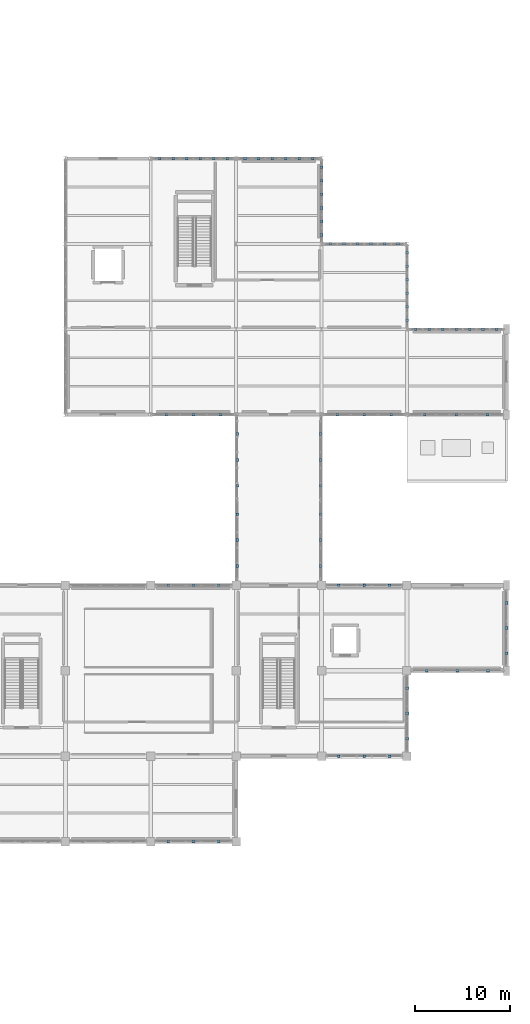
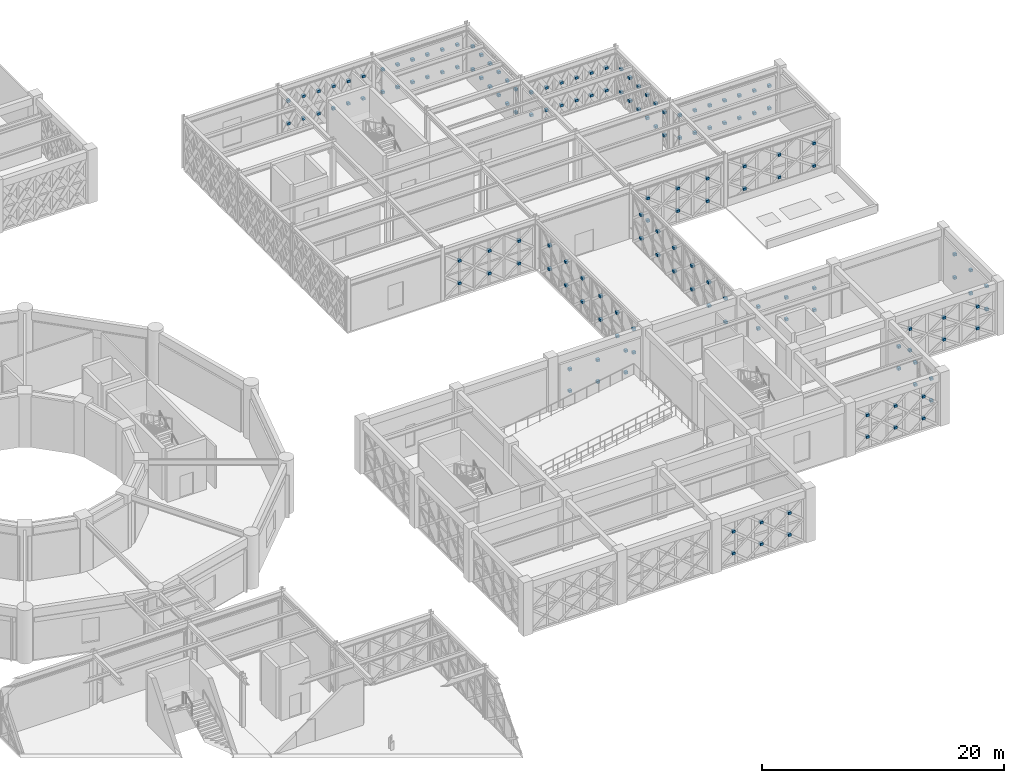
# One storey, part 153 of 166: 158 discrete accessories.
"""IFC4 building model written with IfcOpenShell, lengths in metres."""

from ifc_helpers import new_model, si_unit, direction, frame, origin, origin_2d, place, context, subcontext, project, spatial, rectangle, extrude, material, type_object, element, save


model = new_model("IFC4")

# Units and contexts
model_context = context("Model", 3, precision=1e-05, world=origin(), true_north=direction((0.0, 1.0)))
body_context = subcontext(model_context, "Body", "Model", "MODEL_VIEW")
ifc_project = project(units=[si_unit("LENGTHUNIT", "METRE"), si_unit("AREAUNIT", "SQUARE_METRE"), si_unit("VOLUMEUNIT", "CUBIC_METRE"), si_unit("PLANEANGLEUNIT", "RADIAN"), si_unit("MASSUNIT", "GRAM", prefix="KILO")], contexts=[model_context])

# Site, building, storey
site_placement = place(None, origin())
site = spatial("IfcSite", under=ifc_project, at=site_placement, CompositionType="ELEMENT")
building_placement = place(site_placement, origin())
building = spatial("IfcBuilding", under=site, at=building_placement, Name="Haizhuo Lancet Aquarium", CompositionType="ELEMENT")
storey_placement = place(building_placement, frame((0.0, 0.0, 5.39990234375)))
storey = spatial("IfcBuildingStorey", under=building, at=storey_placement, Name="L01", CompositionType="ELEMENT", Elevation=5.39990234375)

# Discrete accessories
ifc_material = material(Name="Steel S355", Category="steel")
discrete_accessory_type = type_object("IfcDiscreteAccessoryType", Name="ACC-END-CAP", PredefinedType="BRACKET", material=ifc_material)
for number, where, z_axis, x_axis, name in (
    (1, (46.830078125, -9.0, 0.97802734375), (0.0, 0.0, 1.0), (1.0, 0.0, 0.0), "L01 X-brace crossing gusset plate XN-CW-V3-L01-039-LB01B1"),
    (2, (46.830078125, -9.0, 3.171875), (0.0, 0.0, 1.0), (1.0, 0.0, 0.0), "L01 X-brace crossing gusset plate XN-CW-V3-L01-039-LB02B1"),
    (3, (49.5, -9.0, 0.97802734375), (0.0, 0.0, 1.0), (1.0, 0.0, 0.0), "L01 X-brace crossing gusset plate XN-CW-V3-L01-039-LB03B1"),
    (4, (49.5, -9.0, 3.171875), (0.0, 0.0, 1.0), (1.0, 0.0, 0.0), "L01 X-brace crossing gusset plate XN-CW-V3-L01-039-LB04B1"),
    (5, (52.169921875, -9.0, 0.97802734375), (0.0, 0.0, 1.0), (1.0, 0.0, 0.0), "L01 X-brace crossing gusset plate XN-CW-V3-L01-039-LB05B1"),
    (6, (52.169921875, -9.0, 3.171875), (0.0, 0.0, 1.0), (1.0, 0.0, 0.0), "L01 X-brace crossing gusset plate XN-CW-V3-L01-039-LB06B1"),
    (7, (64.830078125, -9.0, 0.97802734375), (0.0, 0.0, 1.0), (1.0, 0.0, 0.0), "L01 X-brace crossing gusset plate XN-CW-V3-L01-040-LB01B1"),
    (8, (64.830078125, -9.0, 3.171875), (0.0, 0.0, 1.0), (1.0, 0.0, 0.0), "L01 X-brace crossing gusset plate XN-CW-V3-L01-040-LB02B1"),
    (9, (67.5, -9.0, 0.97802734375), (0.0, 0.0, 1.0), (1.0, 0.0, 0.0), "L01 X-brace crossing gusset plate XN-CW-V3-L01-040-LB03B1"),
    (10, (67.5, -9.0, 3.171875), (0.0, 0.0, 1.0), (1.0, 0.0, 0.0), "L01 X-brace crossing gusset plate XN-CW-V3-L01-040-LB04B1"),
    (11, (70.169921875, -9.0, 0.97802734375), (0.0, 0.0, 1.0), (1.0, 0.0, 0.0), "L01 X-brace crossing gusset plate XN-CW-V3-L01-040-LB05B1"),
    (12, (70.169921875, -9.0, 3.171875), (0.0, 0.0, 1.0), (1.0, 0.0, 0.0), "L01 X-brace crossing gusset plate XN-CW-V3-L01-040-LB06B1"),
    (13, (82.5, -10.864013671875, 1.05517578125), (0.0, 0.0, 1.0), (1.0, 0.0, 0.0), "L01 X-brace crossing gusset plate XN-CW-V3-L01-041-LB01B1"),
    (14, (82.5, -10.864013671875, 3.4052734375), (0.0, 0.0, 1.0), (1.0, 0.0, 0.0), "L01 X-brace crossing gusset plate XN-CW-V3-L01-041-LB02B1"),
    (15, (82.5, -13.5, 1.05517578125), (0.0, 0.0, 1.0), (1.0, 0.0, 0.0), "L01 X-brace crossing gusset plate XN-CW-V3-L01-041-LB03B1"),
    (16, (82.5, -13.5, 3.4052734375), (0.0, 0.0, 1.0), (1.0, 0.0, 0.0), "L01 X-brace crossing gusset plate XN-CW-V3-L01-041-LB04B1"),
    (17, (82.5, -16.135986328125, 1.05517578125), (0.0, 0.0, 1.0), (1.0, 0.0, 0.0), "L01 X-brace crossing gusset plate XN-CW-V3-L01-041-LB05B1"),
    (18, (82.5, -16.135986328125, 3.4052734375), (0.0, 0.0, 1.0), (1.0, 0.0, 0.0), "L01 X-brace crossing gusset plate XN-CW-V3-L01-041-LB06B1"),
    (19, (80.544921875, -18.0, 0.97802734375), (0.0, 0.0, 1.0), (1.0, 0.0, 0.0), "L01 X-brace crossing gusset plate XN-CW-V3-L01-042-LB01B1"),
    (20, (80.544921875, -18.0, 3.171875), (0.0, 0.0, 1.0), (1.0, 0.0, 0.0), "L01 X-brace crossing gusset plate XN-CW-V3-L01-042-LB02B1"),
    (21, (77.324951171875, -18.0, 0.97802734375), (0.0, 0.0, 1.0), (1.0, 0.0, 0.0), "L01 X-brace crossing gusset plate XN-CW-V3-L01-042-LB03B1"),
    (22, (77.324951171875, -18.0, 3.171875), (0.0, 0.0, 1.0), (1.0, 0.0, 0.0), "L01 X-brace crossing gusset plate XN-CW-V3-L01-042-LB04B1"),
    (23, (74.10498046875, -18.0, 0.97802734375), (0.0, 0.0, 1.0), (1.0, 0.0, 0.0), "L01 X-brace crossing gusset plate XN-CW-V3-L01-042-LB05B1"),
    (24, (74.10498046875, -18.0, 3.171875), (0.0, 0.0, 1.0), (1.0, 0.0, 0.0), "L01 X-brace crossing gusset plate XN-CW-V3-L01-042-LB06B1"),
    (25, (72.0, -19.830078125, 0.990234375), (0.0, 0.0, 1.0), (1.0, 0.0, 0.0), "L01 X-brace crossing gusset plate XN-CW-V3-L01-043-LB01B1"),
    (26, (72.0, -19.830078125, 3.2099609375), (0.0, 0.0, 1.0), (1.0, 0.0, 0.0), "L01 X-brace crossing gusset plate XN-CW-V3-L01-043-LB02B1"),
    (27, (72.0, -22.5, 0.990234375), (0.0, 0.0, 1.0), (1.0, 0.0, 0.0), "L01 X-brace crossing gusset plate XN-CW-V3-L01-043-LB03B1"),
    (28, (72.0, -22.5, 3.2099609375), (0.0, 0.0, 1.0), (1.0, 0.0, 0.0), "L01 X-brace crossing gusset plate XN-CW-V3-L01-043-LB04B1"),
    (29, (72.0, -25.169921875, 0.990234375), (0.0, 0.0, 1.0), (1.0, 0.0, 0.0), "L01 X-brace crossing gusset plate XN-CW-V3-L01-043-LB05B1"),
    (30, (72.0, -25.169921875, 3.2099609375), (0.0, 0.0, 1.0), (1.0, 0.0, 0.0), "L01 X-brace crossing gusset plate XN-CW-V3-L01-043-LB06B1"),
    (31, (70.169921875, -27.0, 0.97802734375), (0.0, 0.0, 1.0), (1.0, 0.0, 0.0), "L01 X-brace crossing gusset plate XN-CW-V3-L01-044-LB01B1"),
    (32, (70.169921875, -27.0, 3.171875), (0.0, 0.0, 1.0), (1.0, 0.0, 0.0), "L01 X-brace crossing gusset plate XN-CW-V3-L01-044-LB02B1"),
    (33, (67.5, -27.0, 0.97802734375), (0.0, 0.0, 1.0), (1.0, 0.0, 0.0), "L01 X-brace crossing gusset plate XN-CW-V3-L01-044-LB03B1"),
    (34, (67.5, -27.0, 3.171875), (0.0, 0.0, 1.0), (1.0, 0.0, 0.0), "L01 X-brace crossing gusset plate XN-CW-V3-L01-044-LB04B1"),
    (35, (64.830078125, -27.0, 0.97802734375), (0.0, 0.0, 1.0), (1.0, 0.0, 0.0), "L01 X-brace crossing gusset plate XN-CW-V3-L01-044-LB05B1"),
    (36, (64.830078125, -27.0, 3.171875), (0.0, 0.0, 1.0), (1.0, 0.0, 0.0), "L01 X-brace crossing gusset plate XN-CW-V3-L01-044-LB06B1"),
    (37, (52.169921875, -36.0, 0.97802734375), (0.0, 0.0, 1.0), (1.0, 0.0, 0.0), "L01 X-brace crossing gusset plate XN-CW-V3-L01-045-LB01B1"),
    (38, (52.169921875, -36.0, 3.171875), (0.0, 0.0, 1.0), (1.0, 0.0, 0.0), "L01 X-brace crossing gusset plate XN-CW-V3-L01-045-LB02B1"),
    (39, (49.5, -36.0, 0.97802734375), (0.0, 0.0, 1.0), (1.0, 0.0, 0.0), "L01 X-brace crossing gusset plate XN-CW-V3-L01-045-LB03B1"),
    (40, (49.5, -36.0, 3.171875), (0.0, 0.0, 1.0), (1.0, 0.0, 0.0), "L01 X-brace crossing gusset plate XN-CW-V3-L01-045-LB04B1"),
    (41, (46.830078125, -36.0, 0.97802734375), (0.0, 0.0, 1.0), (1.0, 0.0, 0.0), "L01 X-brace crossing gusset plate XN-CW-V3-L01-045-LB05B1"),
    (42, (46.830078125, -36.0, 3.171875), (0.0, 0.0, 1.0), (1.0, 0.0, 0.0), "L01 X-brace crossing gusset plate XN-CW-V3-L01-045-LB06B1"),
    (43, (45.93310546875, 36.0, 1.01806640625), (0.0, 0.0, 1.0), (1.0, 0.0, 0.0), "L01 X-brace crossing gusset plate XN-CW-V7-L01-284-LB01B1"),
    (44, (45.93310546875, 36.0, 3.2939453125), (0.0, 0.0, 1.0), (1.0, 0.0, 0.0), "L01 X-brace crossing gusset plate XN-CW-V7-L01-284-LB02B1"),
    (45, (47.360107421875, 36.0, 1.01806640625), (0.0, 0.0, 1.0), (1.0, 0.0, 0.0), "L01 X-brace crossing gusset plate XN-CW-V7-L01-284-LB03B1"),
    (46, (47.360107421875, 36.0, 3.2939453125), (0.0, 0.0, 1.0), (1.0, 0.0, 0.0), "L01 X-brace crossing gusset plate XN-CW-V7-L01-284-LB04B1"),
    (47, (48.787109375, 36.0, 1.01806640625), (0.0, 0.0, 1.0), (1.0, 0.0, 0.0), "L01 X-brace crossing gusset plate XN-CW-V7-L01-284-LB05B1"),
    (48, (48.787109375, 36.0, 3.2939453125), (0.0, 0.0, 1.0), (1.0, 0.0, 0.0), "L01 X-brace crossing gusset plate XN-CW-V7-L01-284-LB06B1"),
    (49, (50.212890625, 36.0, 1.01806640625), (0.0, 0.0, 1.0), (1.0, 0.0, 0.0), "L01 X-brace crossing gusset plate XN-CW-V7-L01-284-LB07B1"),
    (50, (50.212890625, 36.0, 3.2939453125), (0.0, 0.0, 1.0), (1.0, 0.0, 0.0), "L01 X-brace crossing gusset plate XN-CW-V7-L01-284-LB08B1"),
    (51, (51.639892578125, 36.0, 1.01806640625), (0.0, 0.0, 1.0), (1.0, 0.0, 0.0), "L01 X-brace crossing gusset plate XN-CW-V7-L01-284-LB09B1"),
    (52, (51.639892578125, 36.0, 3.2939453125), (0.0, 0.0, 1.0), (1.0, 0.0, 0.0), "L01 X-brace crossing gusset plate XN-CW-V7-L01-284-LB10B1"),
    (53, (53.06689453125, 36.0, 1.01806640625), (0.0, 0.0, 1.0), (1.0, 0.0, 0.0), "L01 X-brace crossing gusset plate XN-CW-V7-L01-284-LB11B1"),
    (54, (53.06689453125, 36.0, 3.2939453125), (0.0, 0.0, 1.0), (1.0, 0.0, 0.0), "L01 X-brace crossing gusset plate XN-CW-V7-L01-284-LB12B1"),
    (55, (54.93310546875, 36.0, 1.01806640625), (0.0, 0.0, 1.0), (1.0, 0.0, 0.0), "L01 X-brace crossing gusset plate XN-CW-V7-L01-285-LB01B1"),
    (56, (54.93310546875, 36.0, 3.2939453125), (0.0, 0.0, 1.0), (1.0, 0.0, 0.0), "L01 X-brace crossing gusset plate XN-CW-V7-L01-285-LB02B1"),
    (57, (56.360107421875, 36.0, 1.01806640625), (0.0, 0.0, 1.0), (1.0, 0.0, 0.0), "L01 X-brace crossing gusset plate XN-CW-V7-L01-285-LB03B1"),
    (58, (56.360107421875, 36.0, 3.2939453125), (0.0, 0.0, 1.0), (1.0, 0.0, 0.0), "L01 X-brace crossing gusset plate XN-CW-V7-L01-285-LB04B1"),
    (59, (57.787109375, 36.0, 1.01806640625), (0.0, 0.0, 1.0), (1.0, 0.0, 0.0), "L01 X-brace crossing gusset plate XN-CW-V7-L01-285-LB05B1"),
    (60, (57.787109375, 36.0, 3.2939453125), (0.0, 0.0, 1.0), (1.0, 0.0, 0.0), "L01 X-brace crossing gusset plate XN-CW-V7-L01-285-LB06B1"),
    (61, (59.212890625, 36.0, 1.01806640625), (0.0, 0.0, 1.0), (1.0, 0.0, 0.0), "L01 X-brace crossing gusset plate XN-CW-V7-L01-285-LB07B1"),
    (62, (59.212890625, 36.0, 3.2939453125), (0.0, 0.0, 1.0), (1.0, 0.0, 0.0), "L01 X-brace crossing gusset plate XN-CW-V7-L01-285-LB08B1"),
    (63, (60.639892578125, 36.0, 1.01806640625), (0.0, 0.0, 1.0), (1.0, 0.0, 0.0), "L01 X-brace crossing gusset plate XN-CW-V7-L01-285-LB09B1"),
    (64, (60.639892578125, 36.0, 3.2939453125), (0.0, 0.0, 1.0), (1.0, 0.0, 0.0), "L01 X-brace crossing gusset plate XN-CW-V7-L01-285-LB10B1"),
    (65, (62.06689453125, 36.0, 1.01806640625), (0.0, 0.0, 1.0), (1.0, 0.0, 0.0), "L01 X-brace crossing gusset plate XN-CW-V7-L01-285-LB11B1"),
    (66, (62.06689453125, 36.0, 3.2939453125), (0.0, 0.0, 1.0), (1.0, 0.0, 0.0), "L01 X-brace crossing gusset plate XN-CW-V7-L01-285-LB12B1"),
    (67, (63.0, 35.06689453125, 1.04296875), (0.0, 0.0, 1.0), (1.0, 0.0, 0.0), "L01 X-brace crossing gusset plate XN-CW-V7-L01-286-LB01B1"),
    (68, (63.0, 35.06689453125, 3.369140625), (0.0, 0.0, 1.0), (1.0, 0.0, 0.0), "L01 X-brace crossing gusset plate XN-CW-V7-L01-286-LB02B1"),
    (69, (63.0, 33.639892578125, 1.04296875), (0.0, 0.0, 1.0), (1.0, 0.0, 0.0), "L01 X-brace crossing gusset plate XN-CW-V7-L01-286-LB03B1"),
    (70, (63.0, 33.639892578125, 3.369140625), (0.0, 0.0, 1.0), (1.0, 0.0, 0.0), "L01 X-brace crossing gusset plate XN-CW-V7-L01-286-LB04B1"),
    (71, (63.0, 32.212890625, 1.04296875), (0.0, 0.0, 1.0), (1.0, 0.0, 0.0), "L01 X-brace crossing gusset plate XN-CW-V7-L01-286-LB05B1"),
    (72, (63.0, 32.212890625, 3.369140625), (0.0, 0.0, 1.0), (1.0, 0.0, 0.0), "L01 X-brace crossing gusset plate XN-CW-V7-L01-286-LB06B1"),
    (73, (63.0, 30.787109375, 1.04296875), (0.0, 0.0, 1.0), (1.0, 0.0, 0.0), "L01 X-brace crossing gusset plate XN-CW-V7-L01-286-LB07B1"),
    (74, (63.0, 30.787109375, 3.369140625), (0.0, 0.0, 1.0), (1.0, 0.0, 0.0), "L01 X-brace crossing gusset plate XN-CW-V7-L01-286-LB08B1"),
    (75, (63.0, 29.360107421875, 1.04296875), (0.0, 0.0, 1.0), (1.0, 0.0, 0.0), "L01 X-brace crossing gusset plate XN-CW-V7-L01-286-LB09B1"),
    (76, (63.0, 29.360107421875, 3.369140625), (0.0, 0.0, 1.0), (1.0, 0.0, 0.0), "L01 X-brace crossing gusset plate XN-CW-V7-L01-286-LB10B1"),
    (77, (63.0, 27.93310546875, 1.04296875), (0.0, 0.0, 1.0), (1.0, 0.0, 0.0), "L01 X-brace crossing gusset plate XN-CW-V7-L01-286-LB11B1"),
    (78, (63.0, 27.93310546875, 3.369140625), (0.0, 0.0, 1.0), (1.0, 0.0, 0.0), "L01 X-brace crossing gusset plate XN-CW-V7-L01-286-LB12B1"),
    (79, (63.93408203125, 27.0, 1.01806640625), (0.0, 0.0, 1.0), (1.0, 0.0, 0.0), "L01 X-brace crossing gusset plate XN-CW-V7-L01-287-LB01B1"),
    (80, (63.93408203125, 27.0, 3.2939453125), (0.0, 0.0, 1.0), (1.0, 0.0, 0.0), "L01 X-brace crossing gusset plate XN-CW-V7-L01-287-LB02B1"),
    (81, (65.360107421875, 27.0, 1.01806640625), (0.0, 0.0, 1.0), (1.0, 0.0, 0.0), "L01 X-brace crossing gusset plate XN-CW-V7-L01-287-LB03B1"),
    (82, (65.360107421875, 27.0, 3.2939453125), (0.0, 0.0, 1.0), (1.0, 0.0, 0.0), "L01 X-brace crossing gusset plate XN-CW-V7-L01-287-LB04B1"),
    (83, (66.785888671875, 27.0, 1.01806640625), (0.0, 0.0, 1.0), (1.0, 0.0, 0.0), "L01 X-brace crossing gusset plate XN-CW-V7-L01-287-LB05B1"),
    (84, (66.785888671875, 27.0, 3.2939453125), (0.0, 0.0, 1.0), (1.0, 0.0, 0.0), "L01 X-brace crossing gusset plate XN-CW-V7-L01-287-LB06B1"),
    (85, (68.214111328125, 27.0, 1.01806640625), (0.0, 0.0, 1.0), (1.0, 0.0, 0.0), "L01 X-brace crossing gusset plate XN-CW-V7-L01-287-LB07B1"),
    (86, (68.214111328125, 27.0, 3.2939453125), (0.0, 0.0, 1.0), (1.0, 0.0, 0.0), "L01 X-brace crossing gusset plate XN-CW-V7-L01-287-LB08B1"),
    (87, (69.639892578125, 27.0, 1.01806640625), (0.0, 0.0, 1.0), (1.0, 0.0, 0.0), "L01 X-brace crossing gusset plate XN-CW-V7-L01-287-LB09B1"),
    (88, (69.639892578125, 27.0, 3.2939453125), (0.0, 0.0, 1.0), (1.0, 0.0, 0.0), "L01 X-brace crossing gusset plate XN-CW-V7-L01-287-LB10B1"),
    (89, (71.06591796875, 27.0, 1.01806640625), (0.0, 0.0, 1.0), (1.0, 0.0, 0.0), "L01 X-brace crossing gusset plate XN-CW-V7-L01-287-LB11B1"),
    (90, (71.06591796875, 27.0, 3.2939453125), (0.0, 0.0, 1.0), (1.0, 0.0, 0.0), "L01 X-brace crossing gusset plate XN-CW-V7-L01-287-LB12B1"),
    (91, (72.0, 26.06689453125, 1.04296875), (0.0, 0.0, 1.0), (1.0, 0.0, 0.0), "L01 X-brace crossing gusset plate XN-CW-V7-L01-288-LB01B1"),
    (92, (72.0, 26.06689453125, 3.369140625), (0.0, 0.0, 1.0), (1.0, 0.0, 0.0), "L01 X-brace crossing gusset plate XN-CW-V7-L01-288-LB02B1"),
    (93, (72.0, 24.639892578125, 1.04296875), (0.0, 0.0, 1.0), (1.0, 0.0, 0.0), "L01 X-brace crossing gusset plate XN-CW-V7-L01-288-LB03B1"),
    (94, (72.0, 24.639892578125, 3.369140625), (0.0, 0.0, 1.0), (1.0, 0.0, 0.0), "L01 X-brace crossing gusset plate XN-CW-V7-L01-288-LB04B1"),
    (95, (72.0, 23.212890625, 1.04296875), (0.0, 0.0, 1.0), (1.0, 0.0, 0.0), "L01 X-brace crossing gusset plate XN-CW-V7-L01-288-LB05B1"),
    (96, (72.0, 23.212890625, 3.369140625), (0.0, 0.0, 1.0), (1.0, 0.0, 0.0), "L01 X-brace crossing gusset plate XN-CW-V7-L01-288-LB06B1"),
    (97, (72.0, 21.787109375, 1.04296875), (0.0, 0.0, 1.0), (1.0, 0.0, 0.0), "L01 X-brace crossing gusset plate XN-CW-V7-L01-288-LB07B1"),
    (98, (72.0, 21.787109375, 3.369140625), (0.0, 0.0, 1.0), (1.0, 0.0, 0.0), "L01 X-brace crossing gusset plate XN-CW-V7-L01-288-LB08B1"),
    (99, (72.0, 20.360107421875, 1.04296875), (0.0, 0.0, 1.0), (1.0, 0.0, 0.0), "L01 X-brace crossing gusset plate XN-CW-V7-L01-288-LB09B1"),
    (100, (72.0, 20.360107421875, 3.369140625), (0.0, 0.0, 1.0), (1.0, 0.0, 0.0), "L01 X-brace crossing gusset plate XN-CW-V7-L01-288-LB10B1"),
    (101, (72.0, 18.93310546875, 1.04296875), (0.0, 0.0, 1.0), (1.0, 0.0, 0.0), "L01 X-brace crossing gusset plate XN-CW-V7-L01-288-LB11B1"),
    (102, (72.0, 18.93310546875, 3.369140625), (0.0, 0.0, 1.0), (1.0, 0.0, 0.0), "L01 X-brace crossing gusset plate XN-CW-V7-L01-288-LB12B1"),
    (103, (72.928955078125, 18.0, 1.01806640625), (0.0, 0.0, 1.0), (1.0, 0.0, 0.0), "L01 X-brace crossing gusset plate XN-CW-V7-L01-289-LB01B1"),
    (104, (72.928955078125, 18.0, 3.2939453125), (0.0, 0.0, 1.0), (1.0, 0.0, 0.0), "L01 X-brace crossing gusset plate XN-CW-V7-L01-289-LB02B1"),
    (105, (74.34912109375, 18.0, 1.01806640625), (0.0, 0.0, 1.0), (1.0, 0.0, 0.0), "L01 X-brace crossing gusset plate XN-CW-V7-L01-289-LB03B1"),
    (106, (74.34912109375, 18.0, 3.2939453125), (0.0, 0.0, 1.0), (1.0, 0.0, 0.0), "L01 X-brace crossing gusset plate XN-CW-V7-L01-289-LB04B1"),
    (107, (75.76806640625, 18.0, 1.01806640625), (0.0, 0.0, 1.0), (1.0, 0.0, 0.0), "L01 X-brace crossing gusset plate XN-CW-V7-L01-289-LB05B1"),
    (108, (75.76806640625, 18.0, 3.2939453125), (0.0, 0.0, 1.0), (1.0, 0.0, 0.0), "L01 X-brace crossing gusset plate XN-CW-V7-L01-289-LB06B1"),
    (109, (77.18798828125, 18.0, 1.01806640625), (0.0, 0.0, 1.0), (1.0, 0.0, 0.0), "L01 X-brace crossing gusset plate XN-CW-V7-L01-289-LB07B1"),
    (110, (77.18798828125, 18.0, 3.2939453125), (0.0, 0.0, 1.0), (1.0, 0.0, 0.0), "L01 X-brace crossing gusset plate XN-CW-V7-L01-289-LB08B1"),
    (111, (78.60693359375, 18.0, 1.01806640625), (0.0, 0.0, 1.0), (1.0, 0.0, 0.0), "L01 X-brace crossing gusset plate XN-CW-V7-L01-289-LB09B1"),
    (112, (78.60693359375, 18.0, 3.2939453125), (0.0, 0.0, 1.0), (1.0, 0.0, 0.0), "L01 X-brace crossing gusset plate XN-CW-V7-L01-289-LB10B1"),
    (113, (80.02587890625, 18.0, 1.01806640625), (0.0, 0.0, 1.0), (1.0, 0.0, 0.0), "L01 X-brace crossing gusset plate XN-CW-V7-L01-289-LB11B1"),
    (114, (80.02587890625, 18.0, 3.2939453125), (0.0, 0.0, 1.0), (1.0, 0.0, 0.0), "L01 X-brace crossing gusset plate XN-CW-V7-L01-289-LB12B1"),
    (115, (81.446044921875, 18.0, 1.01806640625), (0.0, 0.0, 1.0), (1.0, 0.0, 0.0), "L01 X-brace crossing gusset plate XN-CW-V7-L01-289-LB13B1"),
    (116, (81.446044921875, 18.0, 3.2939453125), (0.0, 0.0, 1.0), (1.0, 0.0, 0.0), "L01 X-brace crossing gusset plate XN-CW-V7-L01-289-LB14B1"),
    (117, (80.4990234375, 9.0, 1.01806640625), (0.0, 0.0, 1.0), (1.0, 0.0, 0.0), "L01 X-brace crossing gusset plate XN-CW-V7-L01-290-LB01B1"),
    (118, (80.4990234375, 9.0, 3.2939453125), (0.0, 0.0, 1.0), (1.0, 0.0, 0.0), "L01 X-brace crossing gusset plate XN-CW-V7-L01-290-LB02B1"),
    (119, (77.18798828125, 9.0, 1.01806640625), (0.0, 0.0, 1.0), (1.0, 0.0, 0.0), "L01 X-brace crossing gusset plate XN-CW-V7-L01-290-LB03B1"),
    (120, (77.18798828125, 9.0, 3.2939453125), (0.0, 0.0, 1.0), (1.0, 0.0, 0.0), "L01 X-brace crossing gusset plate XN-CW-V7-L01-290-LB04B1"),
    (121, (73.8759765625, 9.0, 1.01806640625), (0.0, 0.0, 1.0), (1.0, 0.0, 0.0), "L01 X-brace crossing gusset plate XN-CW-V7-L01-290-LB05B1"),
    (122, (73.8759765625, 9.0, 3.2939453125), (0.0, 0.0, 1.0), (1.0, 0.0, 0.0), "L01 X-brace crossing gusset plate XN-CW-V7-L01-290-LB06B1"),
    (123, (70.35302734375, 9.0, 1.01806640625), (0.0, 0.0, 1.0), (1.0, 0.0, 0.0), "L01 X-brace crossing gusset plate XN-CW-V7-L01-291-LB01B1"),
    (124, (70.35302734375, 9.0, 3.2939453125), (0.0, 0.0, 1.0), (1.0, 0.0, 0.0), "L01 X-brace crossing gusset plate XN-CW-V7-L01-291-LB02B1"),
    (125, (67.5, 9.0, 1.01806640625), (0.0, 0.0, 1.0), (1.0, 0.0, 0.0), "L01 X-brace crossing gusset plate XN-CW-V7-L01-291-LB03B1"),
    (126, (67.5, 9.0, 3.2939453125), (0.0, 0.0, 1.0), (1.0, 0.0, 0.0), "L01 X-brace crossing gusset plate XN-CW-V7-L01-291-LB04B1"),
    (127, (64.64697265625, 9.0, 1.01806640625), (0.0, 0.0, 1.0), (1.0, 0.0, 0.0), "L01 X-brace crossing gusset plate XN-CW-V7-L01-291-LB05B1"),
    (128, (64.64697265625, 9.0, 3.2939453125), (0.0, 0.0, 1.0), (1.0, 0.0, 0.0), "L01 X-brace crossing gusset plate XN-CW-V7-L01-291-LB06B1"),
    (129, (52.35302734375, 9.0, 1.01806640625), (0.0, 0.0, 1.0), (1.0, 0.0, 0.0), "L01 X-brace crossing gusset plate XN-CW-V7-L01-292-LB01B1"),
    (130, (52.35302734375, 9.0, 3.2939453125), (0.0, 0.0, 1.0), (1.0, 0.0, 0.0), "L01 X-brace crossing gusset plate XN-CW-V7-L01-292-LB02B1"),
    (131, (49.5, 9.0, 1.01806640625), (0.0, 0.0, 1.0), (1.0, 0.0, 0.0), "L01 X-brace crossing gusset plate XN-CW-V7-L01-292-LB03B1"),
    (132, (49.5, 9.0, 3.2939453125), (0.0, 0.0, 1.0), (1.0, 0.0, 0.0), "L01 X-brace crossing gusset plate XN-CW-V7-L01-292-LB04B1"),
    (133, (46.64697265625, 9.0, 1.01806640625), (0.0, 0.0, 1.0), (1.0, 0.0, 0.0), "L01 X-brace crossing gusset plate XN-CW-V7-L01-292-LB05B1"),
    (134, (46.64697265625, 9.0, 3.2939453125), (0.0, 0.0, 1.0), (1.0, 0.0, 0.0), "L01 X-brace crossing gusset plate XN-CW-V7-L01-292-LB06B1"),
    (135, (54.1201171875, -6.9541015625, 1.06787109375), (0.0, 0.0, 1.0), (1.0, 0.0, 0.0), "L01 X-brace crossing gusset plate XN-CW-SB-02-W1-LB01B1"),
    (136, (54.1201171875, -6.9541015625, 3.44287109375), (0.0, 0.0, 1.0), (1.0, 0.0, 0.0), "L01 X-brace crossing gusset plate XN-CW-SB-02-W1-LB02B1"),
    (137, (54.1201171875, -4.219970703125, 1.06787109375), (0.0, 0.0, 1.0), (1.0, 0.0, 0.0), "L01 X-brace crossing gusset plate XN-CW-SB-02-W1-LB03B1"),
    (138, (54.1201171875, -4.219970703125, 3.44287109375), (0.0, 0.0, 1.0), (1.0, 0.0, 0.0), "L01 X-brace crossing gusset plate XN-CW-SB-02-W1-LB04B1"),
    (139, (54.1201171875, -1.487060546875, 1.06787109375), (0.0, 0.0, 1.0), (1.0, 0.0, 0.0), "L01 X-brace crossing gusset plate XN-CW-SB-02-W1-LB05B1"),
    (140, (54.1201171875, -1.487060546875, 3.44287109375), (0.0, 0.0, 1.0), (1.0, 0.0, 0.0), "L01 X-brace crossing gusset plate XN-CW-SB-02-W1-LB06B1"),
    (141, (54.1201171875, 1.487060546875, 1.06787109375), (0.0, 0.0, 1.0), (1.0, 0.0, 0.0), "L01 X-brace crossing gusset plate XN-CW-SB-02-W2-LB01B1"),
    (142, (54.1201171875, 1.487060546875, 3.44287109375), (0.0, 0.0, 1.0), (1.0, 0.0, 0.0), "L01 X-brace crossing gusset plate XN-CW-SB-02-W2-LB02B1"),
    (143, (54.1201171875, 4.219970703125, 1.06787109375), (0.0, 0.0, 1.0), (1.0, 0.0, 0.0), "L01 X-brace crossing gusset plate XN-CW-SB-02-W2-LB03B1"),
    (144, (54.1201171875, 4.219970703125, 3.44287109375), (0.0, 0.0, 1.0), (1.0, 0.0, 0.0), "L01 X-brace crossing gusset plate XN-CW-SB-02-W2-LB04B1"),
    (145, (54.1201171875, 6.9541015625, 1.06787109375), (0.0, 0.0, 1.0), (1.0, 0.0, 0.0), "L01 X-brace crossing gusset plate XN-CW-SB-02-W2-LB05B1"),
    (146, (54.1201171875, 6.9541015625, 3.44287109375), (0.0, 0.0, 1.0), (1.0, 0.0, 0.0), "L01 X-brace crossing gusset plate XN-CW-SB-02-W2-LB06B1"),
    (147, (62.8798828125, -1.487060546875, 1.06787109375), (0.0, 0.0, 1.0), (1.0, 0.0, 0.0), "L01 X-brace crossing gusset plate XN-CW-SB-02-E1-LB01B1"),
    (148, (62.8798828125, -1.487060546875, 3.44287109375), (0.0, 0.0, 1.0), (1.0, 0.0, 0.0), "L01 X-brace crossing gusset plate XN-CW-SB-02-E1-LB02B1"),
    (149, (62.8798828125, -4.219970703125, 1.06787109375), (0.0, 0.0, 1.0), (1.0, 0.0, 0.0), "L01 X-brace crossing gusset plate XN-CW-SB-02-E1-LB03B1"),
    (150, (62.8798828125, -4.219970703125, 3.44287109375), (0.0, 0.0, 1.0), (1.0, 0.0, 0.0), "L01 X-brace crossing gusset plate XN-CW-SB-02-E1-LB04B1"),
    (151, (62.8798828125, -6.9541015625, 1.06787109375), (0.0, 0.0, 1.0), (1.0, 0.0, 0.0), "L01 X-brace crossing gusset plate XN-CW-SB-02-E1-LB05B1"),
    (152, (62.8798828125, -6.9541015625, 3.44287109375), (0.0, 0.0, 1.0), (1.0, 0.0, 0.0), "L01 X-brace crossing gusset plate XN-CW-SB-02-E1-LB06B1"),
    (153, (62.8798828125, 6.9541015625, 1.06787109375), (0.0, 0.0, 1.0), (1.0, 0.0, 0.0), "L01 X-brace crossing gusset plate XN-CW-SB-02-E2-LB01B1"),
    (154, (62.8798828125, 6.9541015625, 3.44287109375), (0.0, 0.0, 1.0), (1.0, 0.0, 0.0), "L01 X-brace crossing gusset plate XN-CW-SB-02-E2-LB02B1"),
    (155, (62.8798828125, 4.219970703125, 1.06787109375), (0.0, 0.0, 1.0), (1.0, 0.0, 0.0), "L01 X-brace crossing gusset plate XN-CW-SB-02-E2-LB03B1"),
    (156, (62.8798828125, 4.219970703125, 3.44287109375), (0.0, 0.0, 1.0), (1.0, 0.0, 0.0), "L01 X-brace crossing gusset plate XN-CW-SB-02-E2-LB04B1"),
    (157, (62.8798828125, 1.487060546875, 1.06787109375), (0.0, 0.0, 1.0), (1.0, 0.0, 0.0), "L01 X-brace crossing gusset plate XN-CW-SB-02-E2-LB05B1"),
    (158, (62.8798828125, 1.487060546875, 3.44287109375), (0.0, 0.0, 1.0), (1.0, 0.0, 0.0), "L01 X-brace crossing gusset plate XN-CW-SB-02-E2-LB06B1"),
):
    element("IfcDiscreteAccessory", number, at=place(storey_placement, frame(where, z_axis=z_axis, x_axis=x_axis)), inside=storey, type_object=discrete_accessory_type, material=ifc_material, Name=name, PredefinedType="BRACKET", context=body_context, shape_type="SweptSolid", body=[
        extrude(rectangle(XDim=0.280029296875, YDim=0.280029296875, at=origin_2d()), origin(), (0.0, 0.0, 1.0), 0.239990234375),
    ])

save(model, "model.ifc")
